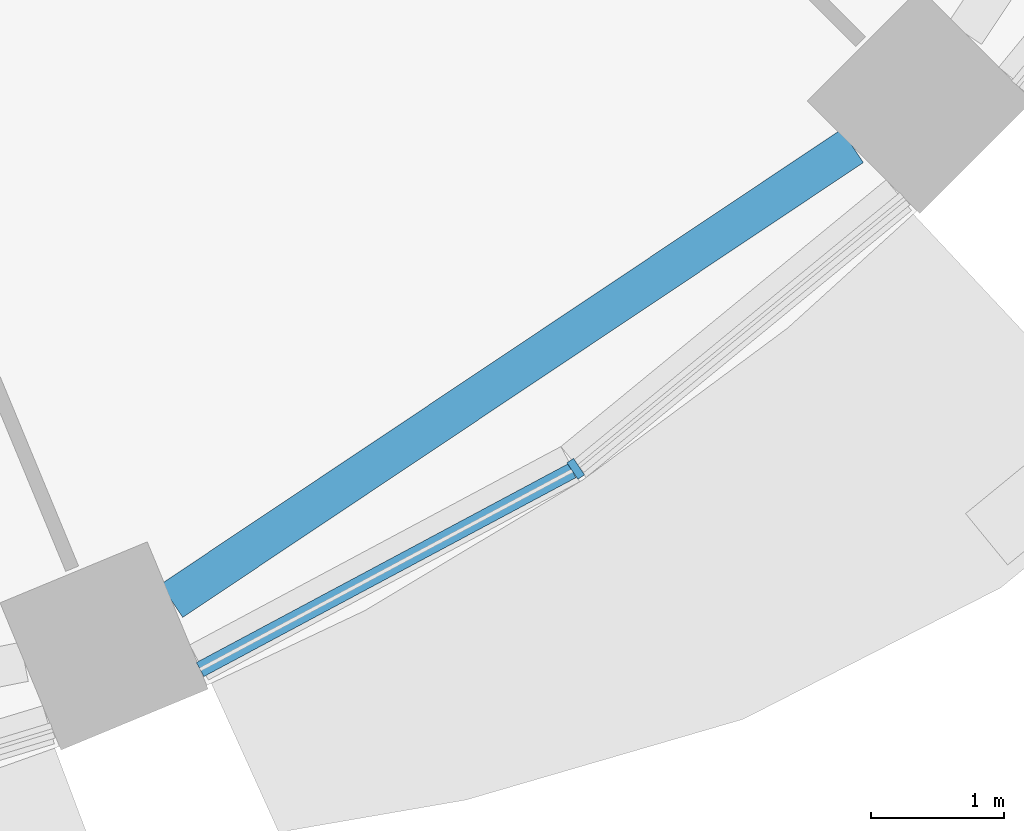
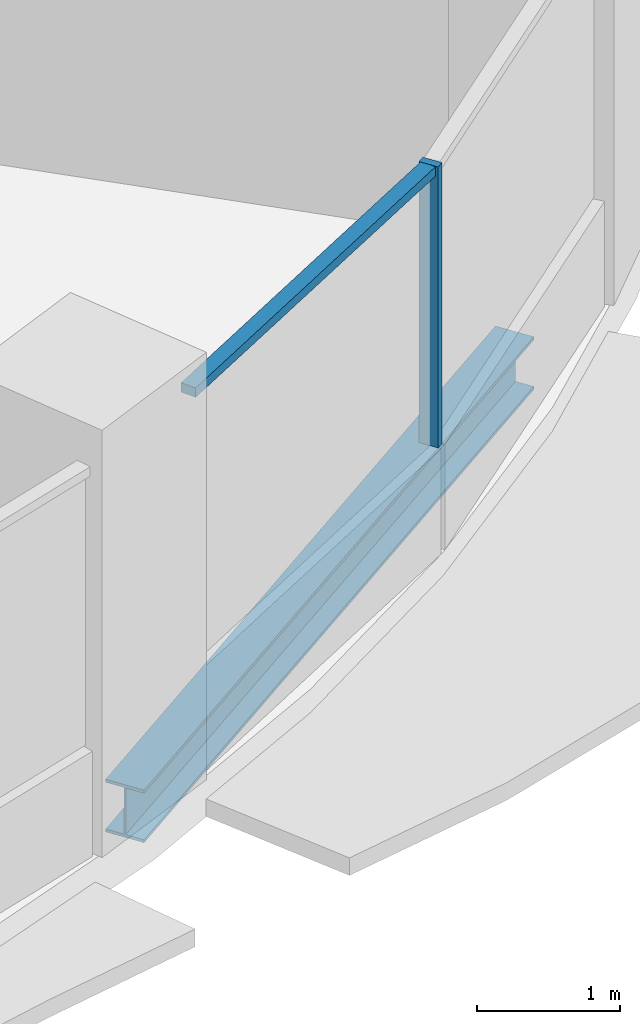
# One storey, part 3 of 15: 2 members, 1 beam, 1 element without a shape of its own.
"""IFC4 building model written with IfcOpenShell, lengths in metres."""

from ifc_helpers import new_model, si_unit, direction, frame, origin, origin_2d, place, context, subcontext, project, spatial, rectangle, i_section, extrude, material, material_profile, profile_set, type_object, element, aggregate, save


model = new_model("IFC4")

# Units and contexts
model_context = context("Model", 3, precision=1e-05, world=origin(), true_north=direction((0.0, 1.0)))
body_context = subcontext(model_context, "Body", "Model", "MODEL_VIEW")
ifc_project = project(units=[si_unit("LENGTHUNIT", "METRE"), si_unit("AREAUNIT", "SQUARE_METRE"), si_unit("VOLUMEUNIT", "CUBIC_METRE"), si_unit("PLANEANGLEUNIT", "RADIAN"), si_unit("MASSUNIT", "GRAM", prefix="KILO")], contexts=[model_context])

# Site, building, storey
site_placement = place(None, origin())
site = spatial("IfcSite", under=ifc_project, at=site_placement, CompositionType="ELEMENT")
building_placement = place(site_placement, origin())
building = spatial("IfcBuilding", under=site, at=building_placement, Name="Polderwave Tower", CompositionType="ELEMENT")
storey_placement = place(building_placement, frame((0.0, 0.0, 59.050048828125)))
storey = spatial("IfcBuildingStorey", under=building, at=storey_placement, Name="L15", CompositionType="ELEMENT", Elevation=59.050048828125)

# Curtain wall, members
ifc_material_1 = material(Name="Aluminium 6063-T6 and glass", Category="aluminium")
curtain_wall_type = type_object("IfcCurtainWallType", Name="Growing floor ribbon glazing wall", PredefinedType="NOTDEFINED", material=ifc_material_1)
curtain_wall_placement = place(storey_placement, origin())
curtain_wall = element("IfcCurtainWall", 1, at=curtain_wall_placement, inside=storey, type_object=curtain_wall_type, Name="CW2 L15 13", PredefinedType="NOTDEFINED")
ifc_material_2 = material(Name="Aluminium 6063-T6", Category="aluminium")
ifc_material_profile_1 = material_profile(ifc_material_2, rectangle(XDim=0.14990234375, YDim=0.06005859375, at=origin_2d()), Name="AL 60x150")
ifc_profile_set_1 = profile_set([ifc_material_profile_1], Name="Aluminium 6063-T6")
member_type_1 = type_object("IfcMemberType", Name="Growing floor ribbon glazing mullion 60x150", PredefinedType="MULLION", material=ifc_profile_set_1)
member_1_placement = place(storey_placement, frame((10.800048828125, -16.1640625, 0.89990234375), z_axis=(0.0, 0.0, 1.0), x_axis=(-0.555526696611, 0.831498700752, 0.0)))
member_1 = element("IfcMember", 2, at=member_1_placement, type_object=member_type_1, Name="CW2 mullion 1", PredefinedType="MULLION", context=body_context, shape_type="SweptSolid", body=[
    extrude(rectangle(XDim=0.14990234375, YDim=0.06005859375, at=origin_2d()), origin(), (0.0, 0.0, 1.0), 2.400146484375),
])
ifc_material_profile_2 = material_profile(ifc_material_2, rectangle(XDim=0.1201171875, YDim=0.080078125, at=origin_2d()), Name="AL 80x120")
ifc_profile_set_2 = profile_set([ifc_material_profile_2], Name="Aluminium 6063-T6")
member_type_2 = type_object("IfcMemberType", Name="Growing floor ribbon glazing transom 80x120", PredefinedType="USERDEFINED", material=ifc_profile_set_2)
member_2_placement = place(storey_placement, frame((7.970947265625, -17.676025390625, 3.260009765625), z_axis=(0.881910191406, 0.471417452258, 0.0), x_axis=(-0.471417452258, 0.881910191406, 0.0)))
member_2 = element("IfcMember", 3, at=member_2_placement, type_object=member_type_2, Name="CW2 transom 1", ObjectType="TRANSOM", PredefinedType="USERDEFINED", context=body_context, shape_type="SweptSolid", body=[
    extrude(rectangle(XDim=0.1201171875, YDim=0.080078125, at=origin_2d()), origin(), (0.0, 0.0, 1.0), 3.177734375),
])
aggregate(curtain_wall, [member_1, member_2])

# Beam
ifc_material_3 = material(Name="Steel S355", Category="steel")
ifc_material_profile_3 = material_profile(ifc_material_3, i_section(OverallWidth=0.300048828125, OverallDepth=0.449951171875, WebThickness=0.013916015625, FlangeThickness=0.02587890625, at=origin_2d()), Name="HE 450 B")
ifc_profile_set_3 = profile_set([ifc_material_profile_3], Name="Steel S355")
beam_type = type_object("IfcBeamType", Name="RING BEAM HE 450 B", PredefinedType="BEAM", material=ifc_profile_set_3)
beam_placement = place(storey_placement, frame((7.756591796875, -17.158447265625, -0.574951171875), z_axis=(0.831471217158, 0.555567831177, 0.0), x_axis=(-0.555567831177, 0.831471217158, 0.0)))
element("IfcBeam", 4, at=beam_placement, inside=storey, type_object=beam_type, Name="ST-RB-L15-13", PredefinedType="BEAM", context=body_context, shape_type="SweptSolid", body=[
    extrude(i_section(OverallWidth=0.300048828125, OverallDepth=0.449951171875, WebThickness=0.013916015625, FlangeThickness=0.02587890625, at=origin_2d()), origin(), (0.0, 0.0, 1.0), 6.166748046875),
])

save(model, "model.ifc")
